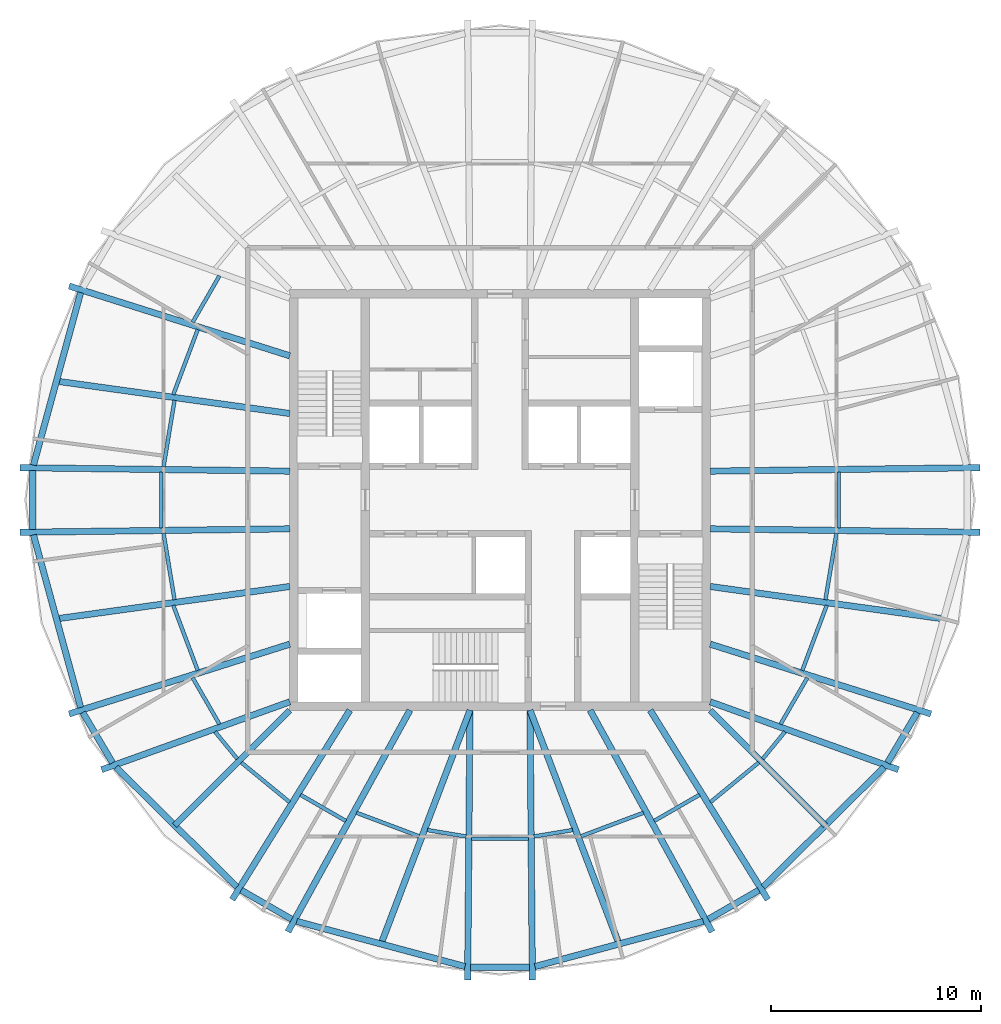
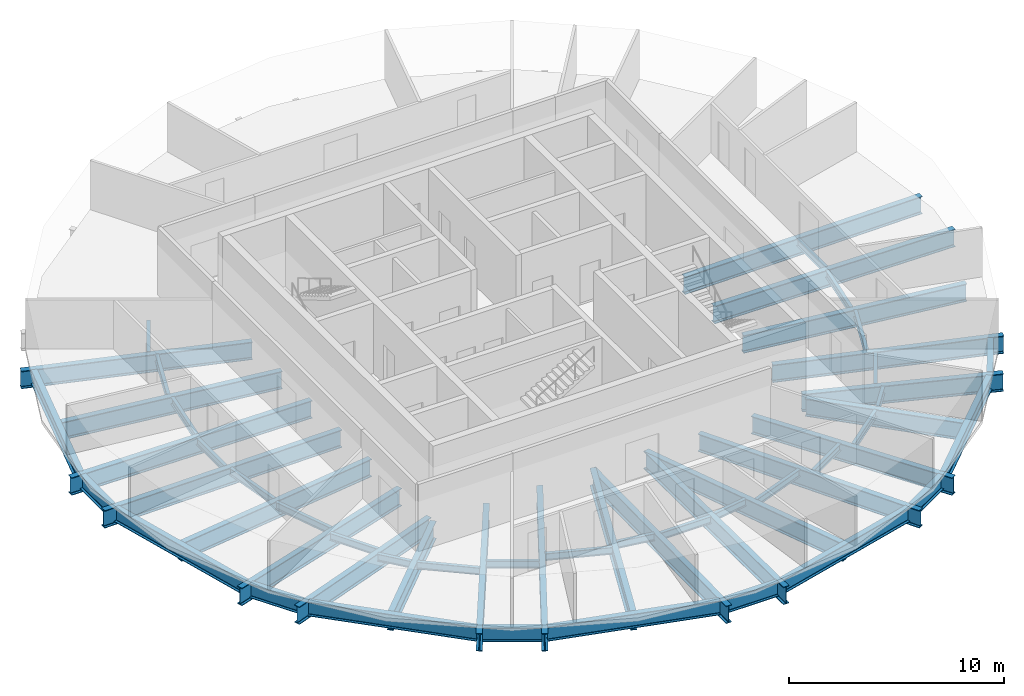
# One storey, part 1 of 6: 56 beams.
"""IFC4 building model written with IfcOpenShell, lengths in metres."""

from ifc_helpers import new_model, si_unit, direction, frame, origin, origin_2d, place, context, subcontext, project, spatial, i_section, extrude, material, material_profile, profile_set, type_object, element, save


model = new_model("IFC4")

# Units and contexts
model_context = context("Model", 3, precision=1e-05, world=origin(), true_north=direction((0.0, 1.0)))
body_context = subcontext(model_context, "Body", "Model", "MODEL_VIEW")
ifc_project = project(units=[si_unit("LENGTHUNIT", "METRE"), si_unit("AREAUNIT", "SQUARE_METRE"), si_unit("VOLUMEUNIT", "CUBIC_METRE"), si_unit("PLANEANGLEUNIT", "RADIAN"), si_unit("MASSUNIT", "GRAM", prefix="KILO")], contexts=[model_context])

# Site, building, storey
site_placement = place(None, origin())
site = spatial("IfcSite", under=ifc_project, at=site_placement, CompositionType="ELEMENT")
building_placement = place(site_placement, origin())
building = spatial("IfcBuilding", under=site, at=building_placement, Name="Golbaran Civic Tower", CompositionType="ELEMENT")
storey_placement = place(building_placement, frame((0.0, 0.0, 244.0)))
storey = spatial("IfcBuildingStorey", under=building, at=storey_placement, Name="L59", CompositionType="ELEMENT", Elevation=244.0)

# Beams
ifc_material = material(Name="Steel S355", Category="steel")
ifc_material_profile_1 = material_profile(ifc_material, i_section(OverallWidth=0.300048828125, OverallDepth=0.800048828125, WebThickness=0.017578125, FlangeThickness=0.032958984375, FilletRadius=0.030029296875, at=origin_2d()), Name="HEB 800")
ifc_profile_set_1 = profile_set([ifc_material_profile_1], Name="Steel S355")
beam_type_1 = type_object("IfcBeamType", Name="EDGE BEAM HEB 800", PredefinedType="BEAM", material=ifc_profile_set_1)
beam_1_placement = place(storey_placement, frame((-19.944091796875, 9.864990234375, -0.60009765625), z_axis=(-0.263734137138, -0.964595409956, 0.0), x_axis=(0.964595409956, -0.263734137138, 0.0)))
element("IfcBeam", 1, at=beam_1_placement, inside=storey, type_object=beam_type_1, Name="Edge beam 153.79 L59", PredefinedType="BEAM", context=body_context, shape_type="SweptSolid", body=[
    extrude(i_section(OverallWidth=0.300048828125, OverallDepth=0.800048828125, WebThickness=0.017578125, FlangeThickness=0.032958984375, FilletRadius=0.030029296875, at=origin_2d()), origin(), (0.0, 0.0, 1.0), 8.50732421875),
])
beam_2_placement = place(storey_placement, frame((-22.22314453125, 1.399169921875, -0.60009765625), z_axis=(0.0, -1.0, 0.0), x_axis=(1.0, 0.0, 0.0)))
element("IfcBeam", 2, at=beam_2_placement, inside=storey, type_object=beam_type_1, Name="Edge beam 176.21 L59", PredefinedType="BEAM", context=body_context, shape_type="SweptSolid", body=[
    extrude(i_section(OverallWidth=0.300048828125, OverallDepth=0.800048828125, WebThickness=0.017578125, FlangeThickness=0.032958984375, FilletRadius=0.030029296875, at=origin_2d()), origin(), (0.0, 0.0, 1.0), 2.79833984375),
])
beam_3_placement = place(storey_placement, frame((-22.187744140625, -1.658935546875, -0.60009765625), z_axis=(0.263734137138, -0.964595409956, 0.0), x_axis=(0.964595409956, 0.263734137138, 0.0)))
element("IfcBeam", 3, at=beam_3_placement, inside=storey, type_object=beam_type_1, Name="Edge beam 183.79 L59", PredefinedType="BEAM", context=body_context, shape_type="SweptSolid", body=[
    extrude(i_section(OverallWidth=0.300048828125, OverallDepth=0.800048828125, WebThickness=0.017578125, FlangeThickness=0.032958984375, FilletRadius=0.030029296875, at=origin_2d()), origin(), (0.0, 0.0, 1.0), 8.50732421875),
])
beam_4_placement = place(storey_placement, frame((-19.842041015625, -10.10546875, -0.60009765625), z_axis=(0.508611029911, -0.860996411289, 0.0), x_axis=(0.860996411289, 0.508611029911, 0.0)))
element("IfcBeam", 4, at=beam_4_placement, inside=storey, type_object=beam_type_1, Name="Edge beam 206.21 L59", PredefinedType="BEAM", context=body_context, shape_type="SweptSolid", body=[
    extrude(i_section(OverallWidth=0.300048828125, OverallDepth=0.800048828125, WebThickness=0.017578125, FlangeThickness=0.032958984375, FilletRadius=0.030029296875, at=origin_2d()), origin(), (0.0, 0.0, 1.0), 2.78173828125),
])
beam_5_placement = place(storey_placement, frame((-18.257568359375, -12.7158203125, -0.60009765625), z_axis=(0.71085817103, -0.703335382787, 0.0), x_axis=(0.703335382787, 0.71085817103, 0.0)))
element("IfcBeam", 5, at=beam_5_placement, inside=storey, type_object=beam_type_1, Name="Edge beam 213.79 L59", PredefinedType="BEAM", context=body_context, shape_type="SweptSolid", body=[
    extrude(i_section(OverallWidth=0.300048828125, OverallDepth=0.800048828125, WebThickness=0.017578125, FlangeThickness=0.032958984375, FilletRadius=0.030029296875, at=origin_2d()), origin(), (0.0, 0.0, 1.0), 8.080810546875),
])
beam_6_placement = place(storey_placement, frame((-12.3056640625, -18.55810546875, -0.60009765625), z_axis=(0.866173842969, -0.499742807609, 0.0), x_axis=(0.499742807609, 0.866173842969, 0.0)))
element("IfcBeam", 6, at=beam_6_placement, inside=storey, type_object=beam_type_1, Name="Edge beam 236.21 L59", PredefinedType="BEAM", context=body_context, shape_type="SweptSolid", body=[
    extrude(i_section(OverallWidth=0.300048828125, OverallDepth=0.800048828125, WebThickness=0.017578125, FlangeThickness=0.032958984375, FilletRadius=0.030029296875, at=origin_2d()), origin(), (0.0, 0.0, 1.0), 2.76904296875),
])
beam_7_placement = place(storey_placement, frame((-9.665283203125, -20.04150390625, -0.60009765625), z_axis=(0.965843017128, -0.259127895576, 0.0), x_axis=(0.259127895576, 0.965843017128, 0.0)))
element("IfcBeam", 7, at=beam_7_placement, inside=storey, type_object=beam_type_1, Name="Edge beam 243.79 L59", PredefinedType="BEAM", context=body_context, shape_type="SweptSolid", body=[
    extrude(i_section(OverallWidth=0.300048828125, OverallDepth=0.800048828125, WebThickness=0.017578125, FlangeThickness=0.032958984375, FilletRadius=0.030029296875, at=origin_2d()), origin(), (0.0, 0.0, 1.0), 8.284423828125),
])
beam_8_placement = place(storey_placement, frame((-1.404052734375, -22.222900390625, -0.60009765625), z_axis=(1.0, 0.0, 0.0), x_axis=(0.0, 1.0, 0.0)))
element("IfcBeam", 8, at=beam_8_placement, inside=storey, type_object=beam_type_1, Name="Edge beam 266.21 L59", PredefinedType="BEAM", context=body_context, shape_type="SweptSolid", body=[
    extrude(i_section(OverallWidth=0.300048828125, OverallDepth=0.800048828125, WebThickness=0.017578125, FlangeThickness=0.032958984375, FilletRadius=0.030029296875, at=origin_2d()), origin(), (0.0, 0.0, 1.0), 2.80810546875),
])
beam_9_placement = place(storey_placement, frame((1.663818359375, -22.188232421875, -0.60009765625), z_axis=(0.965843017128, 0.259127895576, 0.0), x_axis=(-0.259127895576, 0.965843017128, 0.0)))
element("IfcBeam", 9, at=beam_9_placement, inside=storey, type_object=beam_type_1, Name="Edge beam 273.79 L59", PredefinedType="BEAM", context=body_context, shape_type="SweptSolid", body=[
    extrude(i_section(OverallWidth=0.300048828125, OverallDepth=0.800048828125, WebThickness=0.017578125, FlangeThickness=0.032958984375, FilletRadius=0.030029296875, at=origin_2d()), origin(), (0.0, 0.0, 1.0), 8.284423828125),
])
beam_10_placement = place(storey_placement, frame((9.9072265625, -19.94189453125, -0.60009765625), z_axis=(0.866173842969, 0.499742807609, 0.0), x_axis=(-0.499742807609, 0.866173842969, 0.0)))
element("IfcBeam", 10, at=beam_10_placement, inside=storey, type_object=beam_type_1, Name="Edge beam 296.21 L59", PredefinedType="BEAM", context=body_context, shape_type="SweptSolid", body=[
    extrude(i_section(OverallWidth=0.300048828125, OverallDepth=0.800048828125, WebThickness=0.017578125, FlangeThickness=0.032958984375, FilletRadius=0.030029296875, at=origin_2d()), origin(), (0.0, 0.0, 1.0), 2.76904296875),
])
beam_11_placement = place(storey_placement, frame((12.51318359375, -18.3994140625, -0.60009765625), z_axis=(0.71085817103, 0.703335382787, 0.0), x_axis=(-0.703335382787, 0.71085817103, 0.0)))
element("IfcBeam", 11, at=beam_11_placement, inside=storey, type_object=beam_type_1, Name="Edge beam 303.79 L59", PredefinedType="BEAM", context=body_context, shape_type="SweptSolid", body=[
    extrude(i_section(OverallWidth=0.300048828125, OverallDepth=0.800048828125, WebThickness=0.017578125, FlangeThickness=0.032958984375, FilletRadius=0.030029296875, at=origin_2d()), origin(), (0.0, 0.0, 1.0), 8.080810546875),
])
beam_12_placement = place(storey_placement, frame((18.42724609375, -12.50048828125, -0.60009765625), z_axis=(0.508611029911, 0.860996411289, 0.0), x_axis=(-0.860996411289, 0.508611029911, 0.0)))
element("IfcBeam", 12, at=beam_12_placement, inside=storey, type_object=beam_type_1, Name="Edge beam 326.21 L59", PredefinedType="BEAM", context=body_context, shape_type="SweptSolid", body=[
    extrude(i_section(OverallWidth=0.300048828125, OverallDepth=0.800048828125, WebThickness=0.017578125, FlangeThickness=0.032958984375, FilletRadius=0.030029296875, at=origin_2d()), origin(), (0.0, 0.0, 1.0), 2.78173828125),
])
ifc_material_profile_2 = material_profile(ifc_material, i_section(OverallWidth=0.179931640625, OverallDepth=0.39990234375, WebThickness=0.008544921875, FlangeThickness=0.013427734375, FilletRadius=0.02099609375, at=origin_2d()), Name="IPE 400")
ifc_profile_set_2 = profile_set([ifc_material_profile_2], Name="Steel S355")
beam_type_2 = type_object("IfcBeamType", Name="FLOOR INFILL BEAM IPE 400", PredefinedType="BEAM", material=ifc_profile_set_2)
beam_13_placement = place(storey_placement, frame((-13.340087890625, 10.666259765625, -0.39990234375), z_axis=(-0.499962338254, -0.866047146712, 0.0), x_axis=(0.866047146712, -0.499962338254, 0.0)))
element("IfcBeam", 13, at=beam_13_placement, inside=storey, type_object=beam_type_2, Name="Infill beam 150.00 L59", PredefinedType="BEAM", context=body_context, shape_type="SweptSolid", body=[
    extrude(i_section(OverallWidth=0.179931640625, OverallDepth=0.39990234375, WebThickness=0.008544921875, FlangeThickness=0.013427734375, FilletRadius=0.02099609375, at=origin_2d()), origin(), (0.0, 0.0, 1.0), 2.554931640625),
])
beam_14_placement = place(storey_placement, frame((-14.376220703125, 8.1044921875, -0.39990234375), z_axis=(-0.351973981734, -0.936009784234, 0.0), x_axis=(0.936009784234, -0.351973981734, 0.0)))
element("IfcBeam", 14, at=beam_14_placement, inside=storey, type_object=beam_type_2, Name="Infill beam 159.39 L59", PredefinedType="BEAM", context=body_context, shape_type="SweptSolid", body=[
    extrude(i_section(OverallWidth=0.179931640625, OverallDepth=0.39990234375, WebThickness=0.008544921875, FlangeThickness=0.013427734375, FilletRadius=0.02099609375, at=origin_2d()), origin(), (0.0, 0.0, 1.0), 3.302490234375),
])
beam_15_placement = place(storey_placement, frame((-15.4794921875, 4.74267578125, -0.39990234375), z_axis=(-0.163226033771, -0.986588699459, 0.0), x_axis=(0.986588699459, -0.163226033771, 0.0)))
element("IfcBeam", 15, at=beam_15_placement, inside=storey, type_object=beam_type_2, Name="Infill beam 170.61 L59", PredefinedType="BEAM", context=body_context, shape_type="SweptSolid", body=[
    extrude(i_section(OverallWidth=0.179931640625, OverallDepth=0.39990234375, WebThickness=0.008544921875, FlangeThickness=0.013427734375, FilletRadius=0.02099609375, at=origin_2d()), origin(), (0.0, 0.0, 1.0), 3.206787109375),
])
beam_16_placement = place(storey_placement, frame((-16.111572265625, 1.3203125, -0.39990234375), z_axis=(0.0, -1.0, 0.0), x_axis=(1.0, 0.0, 0.0)))
element("IfcBeam", 16, at=beam_16_placement, inside=storey, type_object=beam_type_2, Name="Infill beam 180.00 L59", PredefinedType="BEAM", context=body_context, shape_type="SweptSolid", body=[
    extrude(i_section(OverallWidth=0.179931640625, OverallDepth=0.39990234375, WebThickness=0.008544921875, FlangeThickness=0.013427734375, FilletRadius=0.02099609375, at=origin_2d()), origin(), (0.0, 0.0, 1.0), 2.640625),
])
beam_17_placement = place(storey_placement, frame((-16.0029296875, -1.578857421875, -0.39990234375), z_axis=(0.163226033771, -0.986588699459, 0.0), x_axis=(0.986588699459, 0.163226033771, 0.0)))
element("IfcBeam", 17, at=beam_17_placement, inside=storey, type_object=beam_type_2, Name="Infill beam 189.39 L59", PredefinedType="BEAM", context=body_context, shape_type="SweptSolid", body=[
    extrude(i_section(OverallWidth=0.179931640625, OverallDepth=0.39990234375, WebThickness=0.008544921875, FlangeThickness=0.013427734375, FilletRadius=0.02099609375, at=origin_2d()), origin(), (0.0, 0.0, 1.0), 3.206787109375),
])
beam_18_placement = place(storey_placement, frame((-15.53857421875, -5.013427734375, -0.39990234375), z_axis=(0.351973981734, -0.936009784234, 0.0), x_axis=(0.936009784234, 0.351973981734, 0.0)))
element("IfcBeam", 18, at=beam_18_placement, inside=storey, type_object=beam_type_2, Name="Infill beam 200.61 L59", PredefinedType="BEAM", context=body_context, shape_type="SweptSolid", body=[
    extrude(i_section(OverallWidth=0.179931640625, OverallDepth=0.39990234375, WebThickness=0.008544921875, FlangeThickness=0.013427734375, FilletRadius=0.02099609375, at=origin_2d()), origin(), (0.0, 0.0, 1.0), 3.302490234375),
])
beam_19_placement = place(storey_placement, frame((-14.617431640625, -8.45361328125, -0.39990234375), z_axis=(0.499962338254, -0.866047146712, 0.0), x_axis=(0.866047146712, 0.499962338254, 0.0)))
element("IfcBeam", 19, at=beam_19_placement, inside=storey, type_object=beam_type_2, Name="Infill beam 210.00 L59", PredefinedType="BEAM", context=body_context, shape_type="SweptSolid", body=[
    extrude(i_section(OverallWidth=0.179931640625, OverallDepth=0.39990234375, WebThickness=0.008544921875, FlangeThickness=0.013427734375, FilletRadius=0.02099609375, at=origin_2d()), origin(), (0.0, 0.0, 1.0), 2.554931640625),
])
beam_20_placement = place(storey_placement, frame((-13.55419921875, -11.019775390625, -0.39990234375), z_axis=(0.634574189165, -0.772861953033, 0.0), x_axis=(0.772861953033, 0.634574189165, 0.0)))
element("IfcBeam", 20, at=beam_20_placement, inside=storey, type_object=beam_type_2, Name="Infill beam 219.39 L59", PredefinedType="BEAM", context=body_context, shape_type="SweptSolid", body=[
    extrude(i_section(OverallWidth=0.179931640625, OverallDepth=0.39990234375, WebThickness=0.008544921875, FlangeThickness=0.013427734375, FilletRadius=0.02099609375, at=origin_2d()), origin(), (0.0, 0.0, 1.0), 1.670166015625),
])
beam_21_placement = place(storey_placement, frame((-12.302490234375, -12.486328125, -0.39990234375), z_axis=(0.772848776414, -0.634590236921, 0.0), x_axis=(0.634590236921, 0.772848776414, 0.0)))
element("IfcBeam", 21, at=beam_21_placement, inside=storey, type_object=beam_type_2, Name="Infill beam 230.61 L59", PredefinedType="BEAM", context=body_context, shape_type="SweptSolid", body=[
    extrude(i_section(OverallWidth=0.179931640625, OverallDepth=0.39990234375, WebThickness=0.008544921875, FlangeThickness=0.013427734375, FilletRadius=0.02099609375, at=origin_2d()), origin(), (0.0, 0.0, 1.0), 2.966552734375),
])
beam_22_placement = place(storey_placement, frame((-9.487060546875, -14.0205078125, -0.39990234375), z_axis=(0.866012380058, -0.500022557078, 0.0), x_axis=(0.500022557078, 0.866012380058, 0.0)))
element("IfcBeam", 22, at=beam_22_placement, inside=storey, type_object=beam_type_2, Name="Infill beam 240.00 L59", PredefinedType="BEAM", context=body_context, shape_type="SweptSolid", body=[
    extrude(i_section(OverallWidth=0.179931640625, OverallDepth=0.39990234375, WebThickness=0.008544921875, FlangeThickness=0.013427734375, FilletRadius=0.02099609375, at=origin_2d()), origin(), (0.0, 0.0, 1.0), 2.48828125),
])
beam_23_placement = place(storey_placement, frame((-6.821533203125, -14.875732421875, -0.39990234375), z_axis=(0.936028781581, -0.351923457661, 0.0), x_axis=(0.351923457661, 0.936028781581, 0.0)))
element("IfcBeam", 23, at=beam_23_placement, inside=storey, type_object=beam_type_2, Name="Infill beam 249.39 L59", PredefinedType="BEAM", context=body_context, shape_type="SweptSolid", body=[
    extrude(i_section(OverallWidth=0.179931640625, OverallDepth=0.39990234375, WebThickness=0.008544921875, FlangeThickness=0.013427734375, FilletRadius=0.02099609375, at=origin_2d()), origin(), (0.0, 0.0, 1.0), 3.176513671875),
])
beam_24_placement = place(storey_placement, frame((-3.457275390625, -15.69775390625, -0.39990234375), z_axis=(0.986580095911, -0.16327802777, 0.0), x_axis=(0.16327802777, 0.986580095911, 0.0)))
element("IfcBeam", 24, at=beam_24_placement, inside=storey, type_object=beam_type_2, Name="Infill beam 260.61 L59", PredefinedType="BEAM", context=body_context, shape_type="SweptSolid", body=[
    extrude(i_section(OverallWidth=0.179931640625, OverallDepth=0.39990234375, WebThickness=0.008544921875, FlangeThickness=0.013427734375, FilletRadius=0.02099609375, at=origin_2d()), origin(), (0.0, 0.0, 1.0), 1.8720703125),
])
beam_25_placement = place(storey_placement, frame((-1.351318359375, -16.111572265625, -0.39990234375), z_axis=(1.0, 0.0, 0.0), x_axis=(0.0, 1.0, 0.0)))
element("IfcBeam", 25, at=beam_25_placement, inside=storey, type_object=beam_type_2, Name="Infill beam 270.00 L59", PredefinedType="BEAM", context=body_context, shape_type="SweptSolid", body=[
    extrude(i_section(OverallWidth=0.179931640625, OverallDepth=0.39990234375, WebThickness=0.008544921875, FlangeThickness=0.013427734375, FilletRadius=0.02099609375, at=origin_2d()), origin(), (0.0, 0.0, 1.0), 2.70263671875),
])
beam_26_placement = place(storey_placement, frame((1.6103515625, -16.00341796875, -0.39990234375), z_axis=(0.986580095911, 0.16327802777, 0.0), x_axis=(-0.16327802777, 0.986580095911, 0.0)))
element("IfcBeam", 26, at=beam_26_placement, inside=storey, type_object=beam_type_2, Name="Infill beam 279.39 L59", PredefinedType="BEAM", context=body_context, shape_type="SweptSolid", body=[
    extrude(i_section(OverallWidth=0.179931640625, OverallDepth=0.39990234375, WebThickness=0.008544921875, FlangeThickness=0.013427734375, FilletRadius=0.02099609375, at=origin_2d()), origin(), (0.0, 0.0, 1.0), 1.8720703125),
])
beam_27_placement = place(storey_placement, frame((3.84814453125, -15.99365234375, -0.39990234375), z_axis=(0.936028781581, 0.351923457661, 0.0), x_axis=(-0.351923457661, 0.936028781581, 0.0)))
element("IfcBeam", 27, at=beam_27_placement, inside=storey, type_object=beam_type_2, Name="Infill beam 290.61 L59", PredefinedType="BEAM", context=body_context, shape_type="SweptSolid", body=[
    extrude(i_section(OverallWidth=0.179931640625, OverallDepth=0.39990234375, WebThickness=0.008544921875, FlangeThickness=0.013427734375, FilletRadius=0.02099609375, at=origin_2d()), origin(), (0.0, 0.0, 1.0), 3.176513671875),
])
beam_28_placement = place(storey_placement, frame((7.332275390625, -15.2646484375, -0.39990234375), z_axis=(0.866012380058, 0.500022557078, 0.0), x_axis=(-0.500022557078, 0.866012380058, 0.0)))
element("IfcBeam", 28, at=beam_28_placement, inside=storey, type_object=beam_type_2, Name="Infill beam 300.00 L59", PredefinedType="BEAM", context=body_context, shape_type="SweptSolid", body=[
    extrude(i_section(OverallWidth=0.179931640625, OverallDepth=0.39990234375, WebThickness=0.008544921875, FlangeThickness=0.013427734375, FilletRadius=0.02099609375, at=origin_2d()), origin(), (0.0, 0.0, 1.0), 2.48828125),
])
beam_29_placement = place(storey_placement, frame((10.009765625, -14.368896484375, -0.39990234375), z_axis=(0.772848776414, 0.634590236921, 0.0), x_axis=(-0.634590236921, 0.772848776414, 0.0)))
element("IfcBeam", 29, at=beam_29_placement, inside=storey, type_object=beam_type_2, Name="Infill beam 309.39 L59", PredefinedType="BEAM", context=body_context, shape_type="SweptSolid", body=[
    extrude(i_section(OverallWidth=0.179931640625, OverallDepth=0.39990234375, WebThickness=0.008544921875, FlangeThickness=0.013427734375, FilletRadius=0.02099609375, at=origin_2d()), origin(), (0.0, 0.0, 1.0), 2.966552734375),
])
beam_30_placement = place(storey_placement, frame((12.494384765625, -12.310546875, -0.39990234375), z_axis=(0.634574189165, 0.772861953033, 0.0), x_axis=(-0.772861953033, 0.634574189165, 0.0)))
element("IfcBeam", 30, at=beam_30_placement, inside=storey, type_object=beam_type_2, Name="Infill beam 320.61 L59", PredefinedType="BEAM", context=body_context, shape_type="SweptSolid", body=[
    extrude(i_section(OverallWidth=0.179931640625, OverallDepth=0.39990234375, WebThickness=0.008544921875, FlangeThickness=0.013427734375, FilletRadius=0.02099609375, at=origin_2d()), origin(), (0.0, 0.0, 1.0), 1.670166015625),
])
beam_31_placement = place(storey_placement, frame((13.340087890625, -10.666259765625, -0.39990234375), z_axis=(0.499962338254, 0.866047146712, 0.0), x_axis=(-0.866047146712, 0.499962338254, 0.0)))
element("IfcBeam", 31, at=beam_31_placement, inside=storey, type_object=beam_type_2, Name="Infill beam 330.00 L59", PredefinedType="BEAM", context=body_context, shape_type="SweptSolid", body=[
    extrude(i_section(OverallWidth=0.179931640625, OverallDepth=0.39990234375, WebThickness=0.008544921875, FlangeThickness=0.013427734375, FilletRadius=0.02099609375, at=origin_2d()), origin(), (0.0, 0.0, 1.0), 2.554931640625),
])
beam_32_placement = place(storey_placement, frame((14.376220703125, -8.1044921875, -0.39990234375), z_axis=(0.351973981734, 0.936009784234, 0.0), x_axis=(-0.936009784234, 0.351973981734, 0.0)))
element("IfcBeam", 32, at=beam_32_placement, inside=storey, type_object=beam_type_2, Name="Infill beam 339.39 L59", PredefinedType="BEAM", context=body_context, shape_type="SweptSolid", body=[
    extrude(i_section(OverallWidth=0.179931640625, OverallDepth=0.39990234375, WebThickness=0.008544921875, FlangeThickness=0.013427734375, FilletRadius=0.02099609375, at=origin_2d()), origin(), (0.0, 0.0, 1.0), 3.302490234375),
])
beam_33_placement = place(storey_placement, frame((15.4794921875, -4.74267578125, -0.39990234375), z_axis=(0.163226033771, 0.986588699459, 0.0), x_axis=(-0.986588699459, 0.163226033771, 0.0)))
element("IfcBeam", 33, at=beam_33_placement, inside=storey, type_object=beam_type_2, Name="Infill beam 350.61 L59", PredefinedType="BEAM", context=body_context, shape_type="SweptSolid", body=[
    extrude(i_section(OverallWidth=0.179931640625, OverallDepth=0.39990234375, WebThickness=0.008544921875, FlangeThickness=0.013427734375, FilletRadius=0.02099609375, at=origin_2d()), origin(), (0.0, 0.0, 1.0), 3.206787109375),
])
beam_34_placement = place(storey_placement, frame((16.111572265625, -1.3203125, -0.39990234375), z_axis=(0.0, 1.0, 0.0), x_axis=(-1.0, 0.0, 0.0)))
element("IfcBeam", 34, at=beam_34_placement, inside=storey, type_object=beam_type_2, Name="Infill beam 0.00 L59", PredefinedType="BEAM", context=body_context, shape_type="SweptSolid", body=[
    extrude(i_section(OverallWidth=0.179931640625, OverallDepth=0.39990234375, WebThickness=0.008544921875, FlangeThickness=0.013427734375, FilletRadius=0.02099609375, at=origin_2d()), origin(), (0.0, 0.0, 1.0), 2.640625),
])
ifc_material_profile_3 = material_profile(ifc_material, i_section(OverallWidth=0.300048828125, OverallDepth=1.0, WebThickness=0.01904296875, FlangeThickness=0.035888671875, FilletRadius=0.030029296875, at=origin_2d()), Name="HEB 1000")
ifc_profile_set_3 = profile_set([ifc_material_profile_3], Name="Steel S355")
beam_type_3 = type_object("IfcBeamType", Name="RADIAL FLOOR BEAM HEB 1000", PredefinedType="BEAM", material=ifc_profile_set_3)
beam_35_placement = place(storey_placement, frame((10.0, 1.371337890625, -0.7099609375), z_axis=(0.999916502203, 0.012922407784, 0.0), x_axis=(-0.012922407784, 0.999916502203, 0.0)))
element("IfcBeam", 35, at=beam_35_placement, inside=storey, type_object=beam_type_3, Name="Radial beam 3.79 L59", PredefinedType="BEAM", context=body_context, shape_type="SweptSolid", body=[
    extrude(i_section(OverallWidth=0.300048828125, OverallDepth=1.0, WebThickness=0.01904296875, FlangeThickness=0.035888671875, FilletRadius=0.030029296875, at=origin_2d()), origin(), (0.0, 0.0, 1.0), 12.828125),
])
beam_36_placement = place(storey_placement, frame((-10.0, 6.857177734375, -0.7099609375), z_axis=(-0.953472615624, 0.30147963655, 0.0), x_axis=(-0.30147963655, -0.953472615624, 0.0)))
element("IfcBeam", 36, at=beam_36_placement, inside=storey, type_object=beam_type_3, Name="Radial beam 153.79 L59", PredefinedType="BEAM", context=body_context, shape_type="SweptSolid", body=[
    extrude(i_section(OverallWidth=0.300048828125, OverallDepth=1.0, WebThickness=0.01904296875, FlangeThickness=0.035888671875, FilletRadius=0.030029296875, at=origin_2d()), origin(), (0.0, 0.0, 1.0), 11.003662109375),
])
for number, where, z_axis, x_axis, name in (
    (37, (-10.0, 1.371337890625, -0.7099609375), (-0.999916502203, 0.012922407784, 0.0), (-0.012922407784, -0.999916502203, 0.0), "Radial beam 176.21 L59"),
    (38, (-10.0, -1.371337890625, -0.7099609375), (-0.999916502203, -0.012922407784, 0.0), (0.012922407784, -0.999916502203, 0.0), "Radial beam 183.79 L59"),
):
    element("IfcBeam", number, at=place(storey_placement, frame(where, z_axis=z_axis, x_axis=x_axis)), inside=storey, type_object=beam_type_3, Name=name, PredefinedType="BEAM", context=body_context, shape_type="SweptSolid", body=[
        extrude(i_section(OverallWidth=0.300048828125, OverallDepth=1.0, WebThickness=0.01904296875, FlangeThickness=0.035888671875, FilletRadius=0.030029296875, at=origin_2d()), origin(), (0.0, 0.0, 1.0), 12.828125),
    ])
beam_37_placement = place(storey_placement, frame((-10.0, -6.857177734375, -0.7099609375), z_axis=(-0.953472615624, -0.30147963655, 0.0), x_axis=(0.30147963655, -0.953472615624, 0.0)))
element("IfcBeam", 39, at=beam_37_placement, inside=storey, type_object=beam_type_3, Name="Radial beam 206.21 L59", PredefinedType="BEAM", context=body_context, shape_type="SweptSolid", body=[
    extrude(i_section(OverallWidth=0.300048828125, OverallDepth=1.0, WebThickness=0.01904296875, FlangeThickness=0.035888671875, FilletRadius=0.030029296875, at=origin_2d()), origin(), (0.0, 0.0, 1.0), 11.003662109375),
])
beam_38_placement = place(storey_placement, frame((-10.0, -9.60009765625, -0.7099609375), z_axis=(-0.940708930725, -0.339214839967, 0.0), x_axis=(0.339214839967, -0.940708930725, 0.0)))
element("IfcBeam", 40, at=beam_38_placement, inside=storey, type_object=beam_type_3, Name="Radial beam 213.79 L59", PredefinedType="BEAM", context=body_context, shape_type="SweptSolid", body=[
    extrude(i_section(OverallWidth=0.300048828125, OverallDepth=1.0, WebThickness=0.01904296875, FlangeThickness=0.035888671875, FilletRadius=0.030029296875, at=origin_2d()), origin(), (0.0, 0.0, 1.0), 9.510498046875),
])
beam_39_placement = place(storey_placement, frame((-7.142822265625, -10.0, -0.7099609375), z_axis=(-0.527645437204, -0.849464709448, 0.0), x_axis=(0.849464709448, -0.527645437204, 0.0)))
element("IfcBeam", 41, at=beam_39_placement, inside=storey, type_object=beam_type_3, Name="Radial beam 236.21 L59", PredefinedType="BEAM", context=body_context, shape_type="SweptSolid", body=[
    extrude(i_section(OverallWidth=0.300048828125, OverallDepth=1.0, WebThickness=0.01904296875, FlangeThickness=0.035888671875, FilletRadius=0.030029296875, at=origin_2d()), origin(), (0.0, 0.0, 1.0), 10.601806640625),
])
beam_40_placement = place(storey_placement, frame((-4.28564453125, -10.0, -0.7099609375), z_axis=(-0.482273268066, -0.87602083018, 0.0), x_axis=(0.87602083018, -0.482273268066, 0.0)))
element("IfcBeam", 42, at=beam_40_placement, inside=storey, type_object=beam_type_3, Name="Radial beam 243.79 L59", PredefinedType="BEAM", context=body_context, shape_type="SweptSolid", body=[
    extrude(i_section(OverallWidth=0.300048828125, OverallDepth=1.0, WebThickness=0.01904296875, FlangeThickness=0.035888671875, FilletRadius=0.030029296875, at=origin_2d()), origin(), (0.0, 0.0, 1.0), 12.027099609375),
])
for number, where, z_axis, x_axis, name in (
    (43, (-1.428466796875, -10.0, -0.7099609375), (-0.008640712817, -0.999962668344, 0.0), (0.999962668344, -0.008640712817, 0.0), "Radial beam 266.21 L59"),
    (44, (1.428466796875, -10.0, -0.7099609375), (0.008640712817, -0.999962668344, 0.0), (0.999962668344, 0.008640712817, 0.0), "Radial beam 273.79 L59"),
):
    element("IfcBeam", number, at=place(storey_placement, frame(where, z_axis=z_axis, x_axis=x_axis)), inside=storey, type_object=beam_type_3, Name=name, PredefinedType="BEAM", context=body_context, shape_type="SweptSolid", body=[
        extrude(i_section(OverallWidth=0.300048828125, OverallDepth=1.0, WebThickness=0.01904296875, FlangeThickness=0.035888671875, FilletRadius=0.030029296875, at=origin_2d()), origin(), (0.0, 0.0, 1.0), 12.82763671875),
    ])
beam_41_placement = place(storey_placement, frame((4.28564453125, -10.0, -0.7099609375), z_axis=(0.482273268066, -0.87602083018, 0.0), x_axis=(0.87602083018, 0.482273268066, 0.0)))
element("IfcBeam", 45, at=beam_41_placement, inside=storey, type_object=beam_type_3, Name="Radial beam 296.21 L59", PredefinedType="BEAM", context=body_context, shape_type="SweptSolid", body=[
    extrude(i_section(OverallWidth=0.300048828125, OverallDepth=1.0, WebThickness=0.01904296875, FlangeThickness=0.035888671875, FilletRadius=0.030029296875, at=origin_2d()), origin(), (0.0, 0.0, 1.0), 12.027099609375),
])
beam_42_placement = place(storey_placement, frame((7.142822265625, -10.0, -0.7099609375), z_axis=(0.527645437204, -0.849464709448, 0.0), x_axis=(0.849464709448, 0.527645437204, 0.0)))
element("IfcBeam", 46, at=beam_42_placement, inside=storey, type_object=beam_type_3, Name="Radial beam 303.79 L59", PredefinedType="BEAM", context=body_context, shape_type="SweptSolid", body=[
    extrude(i_section(OverallWidth=0.300048828125, OverallDepth=1.0, WebThickness=0.01904296875, FlangeThickness=0.035888671875, FilletRadius=0.030029296875, at=origin_2d()), origin(), (0.0, 0.0, 1.0), 10.601806640625),
])
beam_43_placement = place(storey_placement, frame((10.0, -9.60009765625, -0.7099609375), z_axis=(0.940708930725, -0.339214839967, 0.0), x_axis=(0.339214839967, 0.940708930725, 0.0)))
element("IfcBeam", 47, at=beam_43_placement, inside=storey, type_object=beam_type_3, Name="Radial beam 326.21 L59", PredefinedType="BEAM", context=body_context, shape_type="SweptSolid", body=[
    extrude(i_section(OverallWidth=0.300048828125, OverallDepth=1.0, WebThickness=0.01904296875, FlangeThickness=0.035888671875, FilletRadius=0.030029296875, at=origin_2d()), origin(), (0.0, 0.0, 1.0), 9.510498046875),
])
beam_44_placement = place(storey_placement, frame((10.0, -6.857177734375, -0.7099609375), z_axis=(0.953472615624, -0.30147963655, 0.0), x_axis=(0.30147963655, 0.953472615624, 0.0)))
element("IfcBeam", 48, at=beam_44_placement, inside=storey, type_object=beam_type_3, Name="Radial beam 333.79 L59", PredefinedType="BEAM", context=body_context, shape_type="SweptSolid", body=[
    extrude(i_section(OverallWidth=0.300048828125, OverallDepth=1.0, WebThickness=0.01904296875, FlangeThickness=0.035888671875, FilletRadius=0.030029296875, at=origin_2d()), origin(), (0.0, 0.0, 1.0), 11.003662109375),
])
beam_45_placement = place(storey_placement, frame((10.0, -1.371337890625, -0.7099609375), z_axis=(0.999916502203, -0.012922407784, 0.0), x_axis=(0.012922407784, 0.999916502203, 0.0)))
element("IfcBeam", 49, at=beam_45_placement, inside=storey, type_object=beam_type_3, Name="Radial beam 356.21 L59", PredefinedType="BEAM", context=body_context, shape_type="SweptSolid", body=[
    extrude(i_section(OverallWidth=0.300048828125, OverallDepth=1.0, WebThickness=0.01904296875, FlangeThickness=0.035888671875, FilletRadius=0.030029296875, at=origin_2d()), origin(), (0.0, 0.0, 1.0), 12.828125),
])
ifc_material_profile_4 = material_profile(ifc_material, i_section(OverallWidth=0.300048828125, OverallDepth=1.0, WebThickness=0.01904296875, FlangeThickness=0.035888671875, FilletRadius=0.030029296875, at=origin_2d()), Name="HEB 1000")
ifc_profile_set_4 = profile_set([ifc_material_profile_4], Name="Steel S355")
beam_type_4 = type_object("IfcBeamType", Name="SECONDARY FLOOR BEAM HEB 1000", PredefinedType="BEAM", material=ifc_profile_set_4)
for number, where, z_axis, x_axis, name in (
    (50, (-10.0, 4.1142578125, -0.7099609375), (-0.990525982376, 0.137325446433, 0.0), (-0.137325446433, -0.990525982376, 0.0), "Secondary beam 165.00 L59"),
    (51, (-10.0, -4.1142578125, -0.7099609375), (-0.990525982376, -0.137325446433, 0.0), (0.137325446433, -0.990525982376, 0.0), "Secondary beam 195.00 L59"),
):
    element("IfcBeam", number, at=place(storey_placement, frame(where, z_axis=z_axis, x_axis=x_axis)), inside=storey, type_object=beam_type_4, Name=name, PredefinedType="BEAM", context=body_context, shape_type="SweptSolid", body=[
        extrude(i_section(OverallWidth=0.300048828125, OverallDepth=1.0, WebThickness=0.01904296875, FlangeThickness=0.035888671875, FilletRadius=0.030029296875, at=origin_2d()), origin(), (0.0, 0.0, 1.0), 11.2021484375),
    ])
beam_46_placement = place(storey_placement, frame((-10.0, -10.0, -0.7099609375), z_axis=(-0.707106781187, -0.707106781187, 0.0), x_axis=(0.707106781187, -0.707106781187, 0.0)))
element("IfcBeam", 52, at=beam_46_placement, inside=storey, type_object=beam_type_4, Name="Secondary beam 225.00 L59", PredefinedType="BEAM", context=body_context, shape_type="SweptSolid", body=[
    extrude(i_section(OverallWidth=0.300048828125, OverallDepth=1.0, WebThickness=0.01904296875, FlangeThickness=0.035888671875, FilletRadius=0.030029296875, at=origin_2d()), origin(), (0.0, 0.0, 1.0), 7.738525390625),
])
for number, where, z_axis, x_axis, name in (
    (53, (-1.428466796875, -10.0, -0.7099609375), (-0.355620579657, -0.934630410015, 0.0), (0.934630410015, -0.355620579657, 0.0), "Secondary beam 255.00 L59"),
    (54, (1.428466796875, -10.0, -0.7099609375), (0.355620579657, -0.934630410015, 0.0), (0.934630410015, 0.355620579657, 0.0), "Secondary beam 285.00 L59"),
):
    element("IfcBeam", number, at=place(storey_placement, frame(where, z_axis=z_axis, x_axis=x_axis)), inside=storey, type_object=beam_type_4, Name=name, PredefinedType="BEAM", context=body_context, shape_type="SweptSolid", body=[
        extrude(i_section(OverallWidth=0.300048828125, OverallDepth=1.0, WebThickness=0.01904296875, FlangeThickness=0.035888671875, FilletRadius=0.030029296875, at=origin_2d()), origin(), (0.0, 0.0, 1.0), 11.89404296875),
    ])
beam_47_placement = place(storey_placement, frame((10.0, -10.0, -0.7099609375), z_axis=(0.707106781187, -0.707106781187, 0.0), x_axis=(0.707106781187, 0.707106781187, 0.0)))
element("IfcBeam", 55, at=beam_47_placement, inside=storey, type_object=beam_type_4, Name="Secondary beam 315.00 L59", PredefinedType="BEAM", context=body_context, shape_type="SweptSolid", body=[
    extrude(i_section(OverallWidth=0.300048828125, OverallDepth=1.0, WebThickness=0.01904296875, FlangeThickness=0.035888671875, FilletRadius=0.030029296875, at=origin_2d()), origin(), (0.0, 0.0, 1.0), 7.738525390625),
])
beam_48_placement = place(storey_placement, frame((10.0, -4.1142578125, -0.7099609375), z_axis=(0.990525982376, -0.137325446433, 0.0), x_axis=(0.137325446433, 0.990525982376, 0.0)))
element("IfcBeam", 56, at=beam_48_placement, inside=storey, type_object=beam_type_4, Name="Secondary beam 345.00 L59", PredefinedType="BEAM", context=body_context, shape_type="SweptSolid", body=[
    extrude(i_section(OverallWidth=0.300048828125, OverallDepth=1.0, WebThickness=0.01904296875, FlangeThickness=0.035888671875, FilletRadius=0.030029296875, at=origin_2d()), origin(), (0.0, 0.0, 1.0), 11.2021484375),
])

save(model, "model.ifc")
